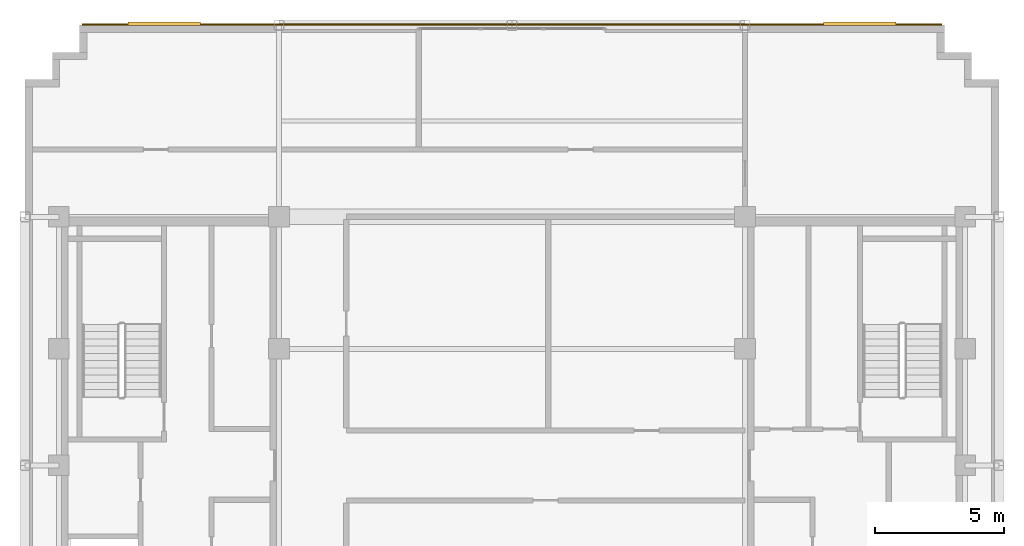
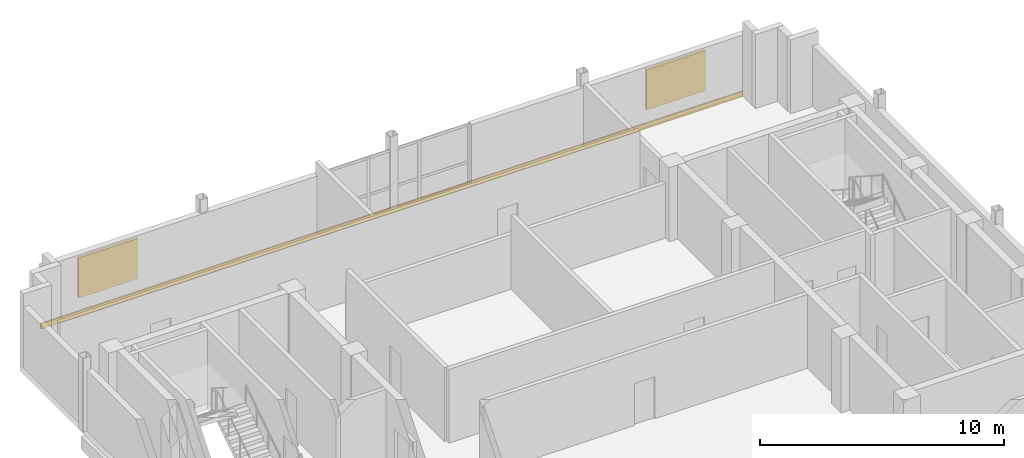
# One storey, part 10 of 10: 2 shading devices, 1 covering.
"""IFC4 building model written with IfcOpenShell, lengths in metres."""

from ifc_helpers import new_model, si_unit, direction, frame, origin, origin_2d, place, context, subcontext, project, spatial, rectangle, extrude, source, transform, mapped, material, layer, layer_set, type_object, type_shapes, element, save


model = new_model("IFC4")

# Units and contexts
model_context = context("Model", 3, precision=1e-05, world=origin(), true_north=direction((0.0, 1.0)))
body_context = subcontext(model_context, "Body", "Model", "MODEL_VIEW")
ifc_project = project(units=[si_unit("LENGTHUNIT", "METRE"), si_unit("AREAUNIT", "SQUARE_METRE"), si_unit("VOLUMEUNIT", "CUBIC_METRE"), si_unit("PLANEANGLEUNIT", "RADIAN"), si_unit("MASSUNIT", "GRAM", prefix="KILO")], contexts=[model_context])

# Site, building, storey
site_placement = place(None, origin())
site = spatial("IfcSite", under=ifc_project, at=site_placement, CompositionType="ELEMENT")
building_placement = place(site_placement, origin())
building = spatial("IfcBuilding", under=site, at=building_placement, Name="Nuvemarco Arch Tower", CompositionType="ELEMENT")
storey_placement = place(building_placement, frame((0.0, 0.0, 291.14990234375)))
storey = spatial("IfcBuildingStorey", under=building, at=storey_placement, Name="L77", CompositionType="ELEMENT", Elevation=291.14990234375)

# Shading devices
ifc_material_1 = material(Name="Anodised aluminium 6063-T6", Category="aluminium")
shading_device_type = type_object("IfcShadingDeviceType", Name="SHD-LOUVRE-PLANT", PredefinedType="JALOUSIE", material=ifc_material_1)
shared_shape_1 = source(origin(), body_context, "Body", "SweptSolid", [
    extrude(rectangle(XDim=2.800048828125, YDim=0.1201171875, at=origin_2d()), origin(), (0.0, 0.0, 1.0), 2.0),
])
type_shapes(shading_device_type, [shared_shape_1])
for number, where, z_axis, x_axis, name in (
    (1, (-13.425048828125, 17.054931640625, 0.650146484375), (0.0, 0.0, 1.0), (1.0, 0.0, 0.0), "L77 acoustic plant louvre panel 1"),
    (2, (13.425048828125, 17.054931640625, 0.650146484375), (0.0, 0.0, 1.0), (1.0, 0.0, 0.0), "L77 acoustic plant louvre panel 2"),
):
    element("IfcShadingDevice", number, at=place(storey_placement, frame(where, z_axis=z_axis, x_axis=x_axis)), inside=storey, type_object=shading_device_type, Name=name, PredefinedType="JALOUSIE", context=body_context, shape_type="MappedRepresentation", body=[
        mapped(shared_shape_1, transform((0.0, 0.0, 0.0), scale=1.0)),
    ])

# Covering
ifc_material_2 = material(Name="Precast concrete C45/55", Category="concrete")
ifc_layer = layer(ifc_material_2, 0.06005859375, Name="COV-SPANDREL-CLAD")
ifc_layer_set = layer_set([ifc_layer], Name="Precast concrete C45/55")
covering_type = type_object("IfcCoveringType", Name="COV-SPANDREL-CLAD", PredefinedType="CLADDING", material=ifc_layer_set)
shared_shape_2 = source(origin(), body_context, "Body", "SweptSolid", [
    extrude(rectangle(XDim=33.199951171875, YDim=0.06005859375, at=origin_2d()), origin(), (0.0, 0.0, 1.0), 0.280029296875),
])
type_shapes(covering_type, [shared_shape_2])
covering_placement = place(storey_placement, frame((0.0, 17.029052734375, -0.27978515625), z_axis=(0.0, 0.0, 1.0), x_axis=(1.0, 0.0, 0.0)))
element("IfcCovering", 3, at=covering_placement, inside=storey, type_object=covering_type, Name="L77 precast spandrel edge cladding north", PredefinedType="CLADDING", context=body_context, shape_type="MappedRepresentation", body=[
    mapped(shared_shape_2, transform((0.0, 0.0, 0.0), scale=1.0)),
])

save(model, "model.ifc")
